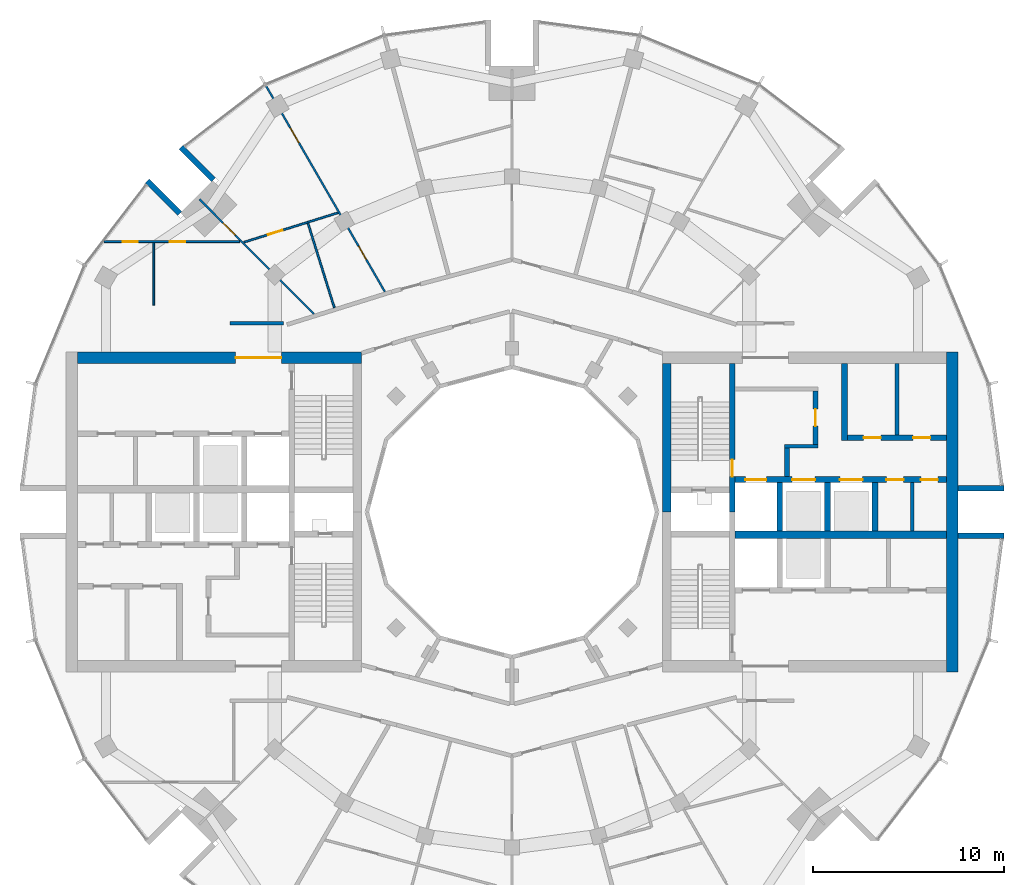
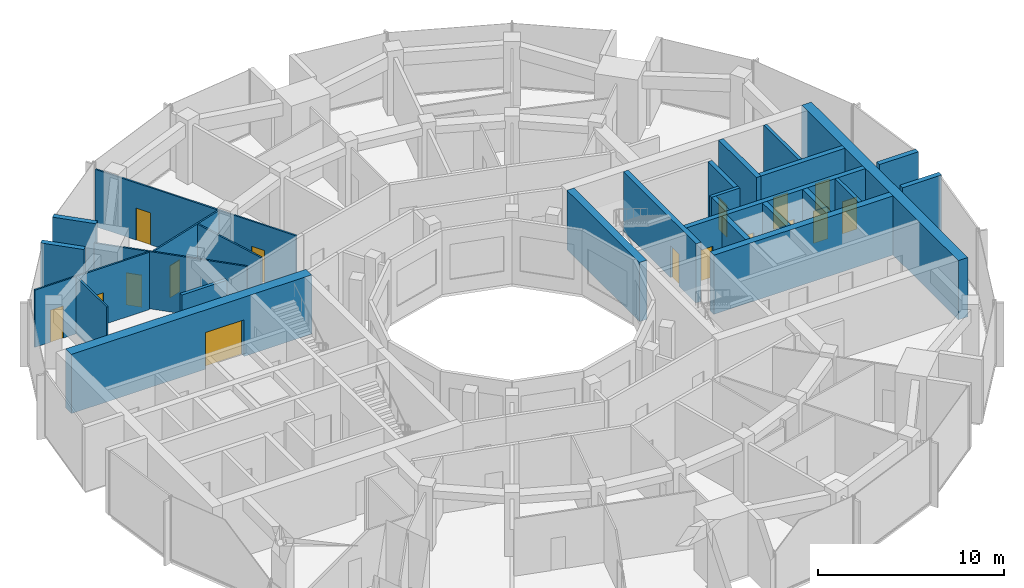
# One storey, part 11 of 15: 27 walls, 16 doors, 16 openings.
"""IFC4 building model written with IfcOpenShell, lengths in metres."""

from ifc_helpers import new_model, si_unit, direction, frame, frame_2d, origin, place, context, subcontext, project, spatial, rectangle, extrude, material, layer, layer_set, type_object, element, fill, save


model = new_model("IFC4")

# Units and contexts
model_context = context("Model", 3, precision=1e-05, world=origin(), true_north=direction((0.0, 1.0)))
body_context = subcontext(model_context, "Body", "Model", "MODEL_VIEW")
ifc_project = project(units=[si_unit("LENGTHUNIT", "METRE"), si_unit("AREAUNIT", "SQUARE_METRE"), si_unit("VOLUMEUNIT", "CUBIC_METRE"), si_unit("PLANEANGLEUNIT", "RADIAN"), si_unit("MASSUNIT", "GRAM", prefix="KILO")], contexts=[model_context])

# Site, building, storey
site_placement = place(None, origin())
site = spatial("IfcSite", under=ifc_project, at=site_placement, CompositionType="ELEMENT")
building_placement = place(site_placement, origin())
building = spatial("IfcBuilding", under=site, at=building_placement, Name="Torre Brocal", CompositionType="ELEMENT")
storey_placement = place(building_placement, frame((0.0, 0.0, 245.699951171875)))
storey = spatial("IfcBuildingStorey", under=building, at=storey_placement, Name="L56", CompositionType="ELEMENT", Elevation=245.699951171875)

# Walls
ifc_material_1 = material(Name="Masonry block", Category="masonry")
ifc_layer_1 = layer(ifc_material_1, 0.199951171875)
ifc_layer_set_1 = layer_set([ifc_layer_1], Name="Masonry block")
wall_type_1 = type_object("IfcWallType", Name="CORE PARTITION 200", PredefinedType="PARTITIONING", material=ifc_layer_set_1)
wall_1_placement = place(storey_placement, frame((101.0, 74.0, 0.0), z_axis=(0.0, 0.0, 1.0), x_axis=(0.0, 1.0, 0.0)))
element("IfcWall", 1, at=wall_1_placement, inside=storey, type_object=wall_type_1, Name="Wall CP200", PredefinedType="PARTITIONING", context=body_context, shape_type="SweptSolid", body=[
    extrude(rectangle(XDim=2.550048828125, YDim=0.199951171875, at=frame_2d((1.27490234375, 0.0))), origin(), (0.0, 0.0, 1.0), 3.880126953125),
])
wall_2_placement = place(storey_placement, frame((100.199951171875, 79.050048828125, 0.0), z_axis=(0.0, 0.0, 1.0), x_axis=(0.0, 1.0, 0.0)))
element("IfcWall", 2, at=wall_2_placement, inside=storey, type_object=wall_type_1, Name="Wall CP200", PredefinedType="PARTITIONING", context=body_context, shape_type="SweptSolid", body=[
    extrude(rectangle(XDim=3.75, YDim=0.199951171875, at=frame_2d((1.875, 0.0))), origin(), (0.0, 0.0, 1.0), 3.880126953125),
])
ifc_material_2 = material(Name="Concrete C60", Category="concrete")
ifc_layer_2 = layer(ifc_material_2, 0.199951171875)
ifc_layer_set_2 = layer_set([ifc_layer_2], Name="Concrete C60")
wall_type_2 = type_object("IfcWallType", Name="CORE WALL 200 C60", PredefinedType="SHEAR", material=ifc_layer_set_2)
wall_3_placement = place(storey_placement, frame((94.300048828125, 78.449951171875, 0.0), z_axis=(0.0, 0.0, 1.0), x_axis=(1.0, 0.0, 0.0)))
element("IfcWall", 3, at=wall_3_placement, inside=storey, type_object=wall_type_2, Name="Wall CW200-60", PredefinedType="SHEAR", context=body_context, shape_type="SweptSolid", body=[
    extrude(rectangle(XDim=1.75, YDim=0.199951171875, at=frame_2d((0.875, 0.0))), origin(), (0.0, 0.0, 1.0), 3.880126953125),
])

# Wall, opening, door
ifc_material_3 = material(Name="Concrete C60", Category="concrete")
ifc_layer_3 = layer(ifc_material_3, 0.25)
ifc_layer_set_3 = layer_set([ifc_layer_3], Name="Concrete C60")
wall_type_3 = type_object("IfcWallType", Name="CORE WALL 250 C60", PredefinedType="SHEAR", material=ifc_layer_set_3)
wall_4_placement = place(storey_placement, frame((95.925048828125, 78.550048828125, 0.0), z_axis=(0.0, 0.0, 1.0), x_axis=(0.0, 1.0, 0.0)))
wall_4 = element("IfcWall", 4, at=wall_4_placement, inside=storey, type_object=wall_type_3, Name="Wall CW250-60", PredefinedType="SHEAR", context=body_context, shape_type="SweptSolid", body=[
    extrude(rectangle(XDim=2.800048828125, YDim=0.25, at=frame_2d((1.39990234375, 0.0))), origin(), (0.0, 0.0, 1.0), 3.880126953125),
])
opening_1_placement = place(wall_4_placement, frame((0.949951171875, 0.0, 0.0)))
opening_1 = element("IfcOpeningElement", 5, at=opening_1_placement, cuts=wall_4, Name="Opening E-D08", PredefinedType="OPENING", context=body_context, shape_type="SweptSolid", body=[
    extrude(rectangle(XDim=0.89990234375, YDim=2.10009765625, at=frame_2d((0.449951171875, 1.050048828125))), frame((0.0, 0.135009765625, 0.0), z_axis=(0.0, -1.0, 0.0), x_axis=(1.0, 0.0, 0.0)), (0.0, 0.0, 1.0), 0.27001953125),
])
ifc_material_4 = material(Name="Steel A653", Category="steel")
door_type_1 = type_object("IfcDoorType", Name="LOBBY DOOR FD120 900X2100", OperationType="SINGLE_SWING_RIGHT", PredefinedType="DOOR", material=ifc_material_4)
door_1_placement = place(opening_1_placement, origin())
door_1 = element("IfcDoor", 6, at=door_1_placement, inside=storey, type_object=door_type_1, Name="Door E-D08", OperationType="SINGLE_SWING_LEFT", OverallHeight=2.10009765625, OverallWidth=0.89990234375, PredefinedType="DOOR", context=body_context, shape_type="SweptSolid", body=[
    extrude(rectangle(XDim=0.89990234375, YDim=2.10009765625, at=frame_2d((0.449951171875, 1.050048828125))), frame((0.0, 0.02490234375, 0.0), z_axis=(0.0, -1.0, 0.0), x_axis=(1.0, 0.0, 0.0)), (0.0, 0.0, 1.0), 0.050048828125),
])
fill(opening_1, door_1)

# Wall
wall_5_placement = place(storey_placement, frame((94.425048828125, 76.85009765625, 0.0), z_axis=(0.0, 0.0, 1.0), x_axis=(0.0, 1.0, 0.0)))
element("IfcWall", 7, at=wall_5_placement, inside=storey, type_object=wall_type_3, Name="Wall CW250-60", PredefinedType="SHEAR", context=body_context, shape_type="SweptSolid", body=[
    extrude(rectangle(XDim=1.5, YDim=0.25, at=frame_2d((0.75, 0.0))), origin(), (0.0, 0.0, 1.0), 3.880126953125),
])

# Wall, opening, door
ifc_material_5 = material(Name="Concrete C60", Category="concrete")
ifc_layer_4 = layer(ifc_material_5, 0.300048828125)
ifc_layer_set_4 = layer_set([ifc_layer_4], Name="Concrete C60")
wall_type_4 = type_object("IfcWallType", Name="CORE WALL 300 C60", PredefinedType="SHEAR", material=ifc_layer_set_4)
wall_6_placement = place(storey_placement, frame((91.550048828125, 75.0, 0.0), z_axis=(0.0, 0.0, 1.0), x_axis=(0.0, 1.0, 0.0)))
wall_6 = element("IfcWall", 8, at=wall_6_placement, inside=storey, type_object=wall_type_4, Name="Wall CW300-60", PredefinedType="SHEAR", context=body_context, shape_type="SweptSolid", body=[
    extrude(rectangle(XDim=7.800048828125, YDim=0.300048828125, at=frame_2d((3.89990234375, 0.0))), origin(), (0.0, 0.0, 1.0), 3.880126953125),
])
opening_2_placement = place(wall_6_placement, frame((1.85009765625, 0.0, 0.0)))
opening_2 = element("IfcOpeningElement", 9, at=opening_2_placement, cuts=wall_6, Name="Opening E-D02", PredefinedType="OPENING", context=body_context, shape_type="SweptSolid", body=[
    extrude(rectangle(XDim=0.89990234375, YDim=2.10009765625, at=frame_2d((0.449951171875, 1.050048828125))), frame((0.0, 0.159912109375, 0.0), z_axis=(0.0, -1.0, 0.0), x_axis=(1.0, 0.0, 0.0)), (0.0, 0.0, 1.0), 0.320068359375),
])
ifc_material_6 = material(Name="Steel A653", Category="steel")
door_type_2 = type_object("IfcDoorType", Name="STAIR DOOR FD120 900X2100", OperationType="SINGLE_SWING_RIGHT", PredefinedType="DOOR", material=ifc_material_6)
door_2_placement = place(opening_2_placement, origin())
door_2 = element("IfcDoor", 10, at=door_2_placement, inside=storey, type_object=door_type_2, Name="Door E-D02", OperationType="SINGLE_SWING_LEFT", OverallHeight=2.10009765625, OverallWidth=0.89990234375, PredefinedType="DOOR", context=body_context, shape_type="SweptSolid", body=[
    extrude(rectangle(XDim=0.89990234375, YDim=2.10009765625, at=frame_2d((0.449951171875, 1.050048828125))), frame((0.0, 0.02490234375, 0.0), z_axis=(0.0, -1.0, 0.0), x_axis=(1.0, 0.0, 0.0)), (0.0, 0.0, 1.0), 0.050048828125),
])
fill(opening_2, door_2)

# Wall, openings, doors
wall_7_placement = place(storey_placement, frame((91.699951171875, 76.699951171875, 0.0), z_axis=(0.0, 0.0, 1.0), x_axis=(1.0, 0.0, 0.0)))
wall_7 = element("IfcWall", 11, at=wall_7_placement, inside=storey, type_object=wall_type_4, Name="Wall CW300-60", PredefinedType="SHEAR", context=body_context, shape_type="SweptSolid", body=[
    extrude(rectangle(XDim=11.10009765625, YDim=0.300048828125, at=frame_2d((5.550048828125, 0.0))), origin(), (0.0, 0.0, 1.0), 3.880126953125),
])
opening_3_placement = place(wall_7_placement, frame((0.550048828125, 0.0, 0.0)))
opening_3 = element("IfcOpeningElement", 12, at=opening_3_placement, cuts=wall_7, Name="Opening LD", PredefinedType="OPENING", context=body_context, shape_type="SweptSolid", body=[
    extrude(rectangle(XDim=1.10009765625, YDim=2.10009765625, at=frame_2d((0.550048828125, 1.050048828125))), frame((0.0, 0.159912109375, 0.0), z_axis=(0.0, -1.0, 0.0), x_axis=(1.0, 0.0, 0.0)), (0.0, 0.0, 1.0), 0.320068359375),
])
opening_4_placement = place(wall_7_placement, frame((3.0, 0.0, 0.0)))
opening_4 = element("IfcOpeningElement", 13, at=opening_4_placement, cuts=wall_7, Name="Opening LD12", PredefinedType="OPENING", context=body_context, shape_type="SweptSolid", body=[
    extrude(rectangle(XDim=1.199951171875, YDim=2.10009765625, at=frame_2d((0.60009765625, 1.050048828125))), frame((0.0, 0.159912109375, 0.0), z_axis=(0.0, -1.0, 0.0), x_axis=(1.0, 0.0, 0.0)), (0.0, 0.0, 1.0), 0.320068359375),
])
opening_5_placement = place(wall_7_placement, frame((5.5, 0.0, 0.0)))
opening_5 = element("IfcOpeningElement", 14, at=opening_5_placement, cuts=wall_7, Name="Opening LD12", PredefinedType="OPENING", context=body_context, shape_type="SweptSolid", body=[
    extrude(rectangle(XDim=1.199951171875, YDim=2.10009765625, at=frame_2d((0.60009765625, 1.050048828125))), frame((0.0, 0.159912109375, 0.0), z_axis=(0.0, -1.0, 0.0), x_axis=(1.0, 0.0, 0.0)), (0.0, 0.0, 1.0), 0.320068359375),
])
opening_6_placement = place(wall_7_placement, frame((7.949951171875, 0.0, 0.0)))
opening_6 = element("IfcOpeningElement", 15, at=opening_6_placement, cuts=wall_7, Name="Opening E-D04", PredefinedType="OPENING", context=body_context, shape_type="SweptSolid", body=[
    extrude(rectangle(XDim=0.89990234375, YDim=2.10009765625, at=frame_2d((0.449951171875, 1.050048828125))), frame((0.0, 0.159912109375, 0.0), z_axis=(0.0, -1.0, 0.0), x_axis=(1.0, 0.0, 0.0)), (0.0, 0.0, 1.0), 0.320068359375),
])
opening_7_placement = place(wall_7_placement, frame((9.75, 0.0, 0.0)))
opening_7 = element("IfcOpeningElement", 16, at=opening_7_placement, cuts=wall_7, Name="Opening E-D05", PredefinedType="OPENING", context=body_context, shape_type="SweptSolid", body=[
    extrude(rectangle(XDim=0.89990234375, YDim=2.10009765625, at=frame_2d((0.449951171875, 1.050048828125))), frame((0.0, 0.159912109375, 0.0), z_axis=(0.0, -1.0, 0.0), x_axis=(1.0, 0.0, 0.0)), (0.0, 0.0, 1.0), 0.320068359375),
])
ifc_material_7 = material(Name="Stainless steel AISI 316", Category="steel")
door_type_3 = type_object("IfcDoorType", Name="LIFT LANDING DOOR 1100X2100", OperationType="DOUBLE_DOOR_SLIDING", PredefinedType="DOOR", material=ifc_material_7)
door_3_placement = place(opening_3_placement, origin())
door_3 = element("IfcDoor", 17, at=door_3_placement, inside=storey, type_object=door_type_3, Name="Door LD", OperationType="DOUBLE_DOOR_SLIDING", OverallHeight=2.10009765625, OverallWidth=1.10009765625, PredefinedType="DOOR", context=body_context, shape_type="SweptSolid", body=[
    extrude(rectangle(XDim=1.10009765625, YDim=2.10009765625, at=frame_2d((0.550048828125, 1.050048828125))), frame((0.0, 0.02490234375, 0.0), z_axis=(0.0, -1.0, 0.0), x_axis=(1.0, 0.0, 0.0)), (0.0, 0.0, 1.0), 0.050048828125),
])
fill(opening_3, door_3)
ifc_material_8 = material(Name="Stainless steel AISI 316", Category="steel")
door_type_4 = type_object("IfcDoorType", Name="LIFT LANDING DOOR 1200X2100", OperationType="DOUBLE_DOOR_SLIDING", PredefinedType="DOOR", material=ifc_material_8)
door_4_placement = place(opening_4_placement, origin())
door_4 = element("IfcDoor", 18, at=door_4_placement, inside=storey, type_object=door_type_4, Name="Door LD12", OperationType="DOUBLE_DOOR_SLIDING", OverallHeight=2.10009765625, OverallWidth=1.199951171875, PredefinedType="DOOR", context=body_context, shape_type="SweptSolid", body=[
    extrude(rectangle(XDim=1.199951171875, YDim=2.10009765625, at=frame_2d((0.60009765625, 1.050048828125))), frame((0.0, 0.02490234375, 0.0), z_axis=(0.0, -1.0, 0.0), x_axis=(1.0, 0.0, 0.0)), (0.0, 0.0, 1.0), 0.050048828125),
])
fill(opening_4, door_4)
door_5_placement = place(opening_5_placement, origin())
door_5 = element("IfcDoor", 19, at=door_5_placement, inside=storey, type_object=door_type_4, Name="Door LD12", OperationType="DOUBLE_DOOR_SLIDING", OverallHeight=2.10009765625, OverallWidth=1.199951171875, PredefinedType="DOOR", context=body_context, shape_type="SweptSolid", body=[
    extrude(rectangle(XDim=1.199951171875, YDim=2.10009765625, at=frame_2d((0.60009765625, 1.050048828125))), frame((0.0, 0.02490234375, 0.0), z_axis=(0.0, -1.0, 0.0), x_axis=(1.0, 0.0, 0.0)), (0.0, 0.0, 1.0), 0.050048828125),
])
fill(opening_5, door_5)
ifc_material_9 = material(Name="Steel A653", Category="steel")
door_type_5 = type_object("IfcDoorType", Name="ROOM DOOR FD30S 900X2100", OperationType="SINGLE_SWING_LEFT", PredefinedType="DOOR", material=ifc_material_9)
door_6_placement = place(opening_6_placement, frame((0.89990234375, 0.0, 0.0), z_axis=(0.0, 0.0, 1.0), x_axis=(-1.0, 0.0, 0.0)))
door_6 = element("IfcDoor", 20, at=door_6_placement, inside=storey, type_object=door_type_5, Name="Door E-D04", OperationType="SINGLE_SWING_LEFT", OverallHeight=2.10009765625, OverallWidth=0.89990234375, PredefinedType="DOOR", context=body_context, shape_type="SweptSolid", body=[
    extrude(rectangle(XDim=0.89990234375, YDim=2.10009765625, at=frame_2d((0.449951171875, 1.050048828125))), frame((0.0, 0.02490234375, 0.0), z_axis=(0.0, -1.0, 0.0), x_axis=(1.0, 0.0, 0.0)), (0.0, 0.0, 1.0), 0.050048828125),
])
fill(opening_6, door_6)
door_7_placement = place(opening_7_placement, frame((0.89990234375, 0.0, 0.0), z_axis=(0.0, 0.0, 1.0), x_axis=(-1.0, 0.0, 0.0)))
door_7 = element("IfcDoor", 21, at=door_7_placement, inside=storey, type_object=door_type_5, Name="Door E-D05", OperationType="SINGLE_SWING_RIGHT", OverallHeight=2.10009765625, OverallWidth=0.89990234375, PredefinedType="DOOR", context=body_context, shape_type="SweptSolid", body=[
    extrude(rectangle(XDim=0.89990234375, YDim=2.10009765625, at=frame_2d((0.449951171875, 1.050048828125))), frame((0.0, 0.02490234375, 0.0), z_axis=(0.0, -1.0, 0.0), x_axis=(1.0, 0.0, 0.0)), (0.0, 0.0, 1.0), 0.050048828125),
])
fill(opening_7, door_7)

# Walls
for number, where, z_axis, x_axis, name in (
    (22, (94.050048828125, 74.0, 0.0), (0.0, 0.0, 1.0), (0.0, 1.0, 0.0), "Wall CW300-60"),
    (23, (96.550048828125, 74.0, 0.0), (0.0, 0.0, 1.0), (0.0, 1.0, 0.0), "Wall CW300-60"),
    (24, (99.050048828125, 74.0, 0.0), (0.0, 0.0, 1.0), (0.0, 1.0, 0.0), "Wall CW300-60"),
):
    element("IfcWall", number, at=place(storey_placement, frame(where, z_axis=z_axis, x_axis=x_axis)), inside=storey, type_object=wall_type_4, Name=name, PredefinedType="SHEAR", context=body_context, shape_type="SweptSolid", body=[
        extrude(rectangle(XDim=2.550048828125, YDim=0.300048828125, at=frame_2d((1.27490234375, 0.0))), origin(), (0.0, 0.0, 1.0), 3.880126953125),
    ])
wall_8_placement = place(storey_placement, frame((97.449951171875, 78.75, 0.0), z_axis=(0.0, 0.0, 1.0), x_axis=(0.0, 1.0, 0.0)))
element("IfcWall", 25, at=wall_8_placement, inside=storey, type_object=wall_type_4, Name="Wall CW300-60", PredefinedType="SHEAR", context=body_context, shape_type="SweptSolid", body=[
    extrude(rectangle(XDim=4.050048828125, YDim=0.300048828125, at=frame_2d((2.02490234375, 0.0))), origin(), (0.0, 0.0, 1.0), 3.880126953125),
])

# Wall, openings, doors
wall_9_placement = place(storey_placement, frame((97.60009765625, 78.89990234375, 0.0), z_axis=(0.0, 0.0, 1.0), x_axis=(1.0, 0.0, 0.0)))
wall_9 = element("IfcWall", 26, at=wall_9_placement, inside=storey, type_object=wall_type_4, Name="Wall CW300-60", PredefinedType="SHEAR", context=body_context, shape_type="SweptSolid", body=[
    extrude(rectangle(XDim=5.199951171875, YDim=0.300048828125, at=frame_2d((2.60009765625, 0.0))), origin(), (0.0, 0.0, 1.0), 3.880126953125),
])
opening_8_placement = place(wall_9_placement, frame((0.85009765625, 0.0, 0.0)))
opening_8 = element("IfcOpeningElement", 27, at=opening_8_placement, cuts=wall_9, Name="Opening E-D09", PredefinedType="OPENING", context=body_context, shape_type="SweptSolid", body=[
    extrude(rectangle(XDim=0.89990234375, YDim=2.10009765625, at=frame_2d((0.449951171875, 1.050048828125))), frame((0.0, 0.159912109375, 0.0), z_axis=(0.0, -1.0, 0.0), x_axis=(1.0, 0.0, 0.0)), (0.0, 0.0, 1.0), 0.320068359375),
])
opening_9_placement = place(wall_9_placement, frame((3.449951171875, 0.0, 0.0)))
opening_9 = element("IfcOpeningElement", 28, at=opening_9_placement, cuts=wall_9, Name="Opening E-D10", PredefinedType="OPENING", context=body_context, shape_type="SweptSolid", body=[
    extrude(rectangle(XDim=0.89990234375, YDim=2.10009765625, at=frame_2d((0.449951171875, 1.050048828125))), frame((0.0, 0.159912109375, 0.0), z_axis=(0.0, -1.0, 0.0), x_axis=(1.0, 0.0, 0.0)), (0.0, 0.0, 1.0), 0.320068359375),
])
door_8_placement = place(opening_8_placement, origin())
door_8 = element("IfcDoor", 29, at=door_8_placement, inside=storey, type_object=door_type_5, Name="Door E-D09", OperationType="SINGLE_SWING_RIGHT", OverallHeight=2.10009765625, OverallWidth=0.89990234375, PredefinedType="DOOR", context=body_context, shape_type="SweptSolid", body=[
    extrude(rectangle(XDim=0.89990234375, YDim=2.10009765625, at=frame_2d((0.449951171875, 1.050048828125))), frame((0.0, 0.02490234375, 0.0), z_axis=(0.0, -1.0, 0.0), x_axis=(1.0, 0.0, 0.0)), (0.0, 0.0, 1.0), 0.050048828125),
])
fill(opening_8, door_8)
door_9_placement = place(opening_9_placement, origin())
door_9 = element("IfcDoor", 30, at=door_9_placement, inside=storey, type_object=door_type_5, Name="Door E-D10", OperationType="SINGLE_SWING_LEFT", OverallHeight=2.10009765625, OverallWidth=0.89990234375, PredefinedType="DOOR", context=body_context, shape_type="SweptSolid", body=[
    extrude(rectangle(XDim=0.89990234375, YDim=2.10009765625, at=frame_2d((0.449951171875, 1.050048828125))), frame((0.0, 0.02490234375, 0.0), z_axis=(0.0, -1.0, 0.0), x_axis=(1.0, 0.0, 0.0)), (0.0, 0.0, 1.0), 0.050048828125),
])
fill(opening_9, door_9)

# Walls
ifc_material_10 = material(Name="Concrete C60", Category="concrete")
ifc_layer_5 = layer(ifc_material_10, 0.39990234375)
ifc_layer_set_5 = layer_set([ifc_layer_5], Name="Concrete C60")
wall_type_5 = type_object("IfcWallType", Name="CORE WALL 400 C60", PredefinedType="SHEAR", material=ifc_layer_set_5)
wall_10_placement = place(storey_placement, frame((91.699951171875, 73.800048828125, 0.0), z_axis=(0.0, 0.0, 1.0), x_axis=(1.0, 0.0, 0.0)))
element("IfcWall", 31, at=wall_10_placement, inside=storey, type_object=wall_type_5, Name="Wall CW400-60", PredefinedType="SHEAR", context=body_context, shape_type="SweptSolid", body=[
    extrude(rectangle(XDim=11.10009765625, YDim=0.39990234375, at=frame_2d((5.550048828125, 0.0))), origin(), (0.0, 0.0, 1.0), 3.880126953125),
])
ifc_material_11 = material(Name="Concrete C60", Category="concrete")
ifc_layer_6 = layer(ifc_material_11, 0.449951171875)
ifc_layer_set_6 = layer_set([ifc_layer_6], Name="Concrete C60")
wall_type_6 = type_object("IfcWallType", Name="CORE WALL 450 C60", PredefinedType="SHEAR", material=ifc_layer_set_6)
wall_11_placement = place(storey_placement, frame((88.125, 75.0, 0.0), z_axis=(0.0, 0.0, 1.0), x_axis=(0.0, 1.0, 0.0)))
element("IfcWall", 32, at=wall_11_placement, inside=storey, type_object=wall_type_6, Name="Wall CW450-60", PredefinedType="SHEAR", context=body_context, shape_type="SweptSolid", body=[
    extrude(rectangle(XDim=7.800048828125, YDim=0.449951171875, at=frame_2d((3.89990234375, 0.0))), origin(), (0.0, 0.0, 1.0), 3.880126953125),
])
ifc_material_12 = material(Name="Concrete C60", Category="concrete")
ifc_layer_7 = layer(ifc_material_12, 0.60009765625)
ifc_layer_set_7 = layer_set([ifc_layer_7], Name="Concrete C60")
wall_type_7 = type_object("IfcWallType", Name="CORE WALL 600 C60", PredefinedType="SHEAR", material=ifc_layer_set_7)
wall_12_placement = place(storey_placement, frame((103.10009765625, 66.60009765625, 0.0), z_axis=(0.0, 0.0, 1.0), x_axis=(0.0, 1.0, 0.0)))
element("IfcWall", 33, at=wall_12_placement, inside=storey, type_object=wall_type_7, Name="Wall CW600-60", PredefinedType="SHEAR", context=body_context, shape_type="SweptSolid", body=[
    extrude(rectangle(XDim=16.7998046875, YDim=0.60009765625, at=frame_2d((8.39990234375, 0.0))), origin(), (0.0, 0.0, 1.0), 3.880126953125),
])

# Wall, opening, door
wall_13_placement = place(storey_placement, frame((72.10009765625, 83.10009765625, 0.0), z_axis=(0.0, 0.0, 1.0), x_axis=(-1.0, 0.0, 0.0)))
wall_13 = element("IfcWall", 34, at=wall_13_placement, inside=storey, type_object=wall_type_7, Name="Wall CW600-60", PredefinedType="SHEAR", context=body_context, shape_type="SweptSolid", body=[
    extrude(rectangle(XDim=14.900146484375, YDim=0.60009765625, at=frame_2d((7.4501953125, 0.0))), origin(), (0.0, 0.0, 1.0), 3.880126953125),
])
opening_10_placement = place(wall_13_placement, frame((4.199951171875, 0.0, 0.0)))
opening_10 = element("IfcOpeningElement", 35, at=opening_10_placement, cuts=wall_13, Name="Opening W-D12", PredefinedType="OPENING", context=body_context, shape_type="SweptSolid", body=[
    extrude(rectangle(XDim=2.39990234375, YDim=2.39990234375, at=frame_2d((1.199951171875, 1.199951171875))), frame((0.0, 0.31005859375, 0.0), z_axis=(0.0, -1.0, 0.0), x_axis=(1.0, 0.0, 0.0)), (0.0, 0.0, 1.0), 0.6201171875),
])
ifc_material_13 = material(Name="Steel A653", Category="steel")
door_type_6 = type_object("IfcDoorType", Name="DOUBLE FIRE DOOR FD90 2400X2400", OperationType="DOUBLE_DOOR_SINGLE_SWING", PredefinedType="DOOR", material=ifc_material_13)
door_10_placement = place(opening_10_placement, origin())
door_10 = element("IfcDoor", 36, at=door_10_placement, inside=storey, type_object=door_type_6, Name="Door W-D12", OperationType="DOUBLE_DOOR_SINGLE_SWING", OverallHeight=2.39990234375, OverallWidth=2.39990234375, PredefinedType="DOOR", context=body_context, shape_type="SweptSolid", body=[
    extrude(rectangle(XDim=2.39990234375, YDim=2.39990234375, at=frame_2d((1.199951171875, 1.199951171875))), frame((0.0, 0.02490234375, 0.0), z_axis=(0.0, -1.0, 0.0), x_axis=(1.0, 0.0, 0.0)), (0.0, 0.0, 1.0), 0.050048828125),
])
fill(opening_10, door_10)

# Walls
ifc_material_14 = material(Name="Concrete C60", Category="concrete")
ifc_layer_8 = layer(ifc_material_14, 0.300048828125)
ifc_layer_set_8 = layer_set([ifc_layer_8], Name="Concrete C60")
wall_type_8 = type_object("IfcWallType", Name="NOTCH RETURN WALL 300 C60", PredefinedType="NOTDEFINED", material=ifc_layer_set_8)
for number, where, z_axis, x_axis, name in (
    (37, (103.39990234375, 73.75, 0.0), (0.0, 0.0, 1.0), (1.0, 0.0, 0.0), "NOTCH RETURN WALL"),
    (38, (103.39990234375, 76.25, 0.0), (0.0, 0.0, 1.0), (1.0, 0.0, 0.0), "NOTCH RETURN WALL"),
    (39, (64.337646484375, 92.43017578125, 0.0), (0.0, 0.0, 1.0), (-0.707106781187, 0.707106781187, 0.0), "NOTCH RETURN WALL"),
    (40, (62.56982421875, 90.662353515625, 0.0), (0.0, 0.0, 1.0), (-0.707106781187, 0.707106781187, 0.0), "NOTCH RETURN WALL"),
):
    element("IfcWall", number, at=place(storey_placement, frame(where, z_axis=z_axis, x_axis=x_axis)), inside=storey, type_object=wall_type_8, Name=name, PredefinedType="NOTDEFINED", context=body_context, shape_type="SweptSolid", body=[
        extrude(rectangle(XDim=2.415771484375, YDim=0.300048828125, at=frame_2d((1.2080078125, 0.0))), origin(), (0.0, 0.0, 1.0), 4.199951171875),
    ])

# Wall, openings, doors
ifc_material_15 = material(Name="Gypsum board", Category="Gypsum")
ifc_layer_9 = layer(ifc_material_15, 0.10009765625)
ifc_layer_set_9 = layer_set([ifc_layer_9], Name="Gypsum board")
wall_type_9 = type_object("IfcWallType", Name="PARTITION 100", PredefinedType="PARTITIONING", material=ifc_layer_set_9)
wall_14_placement = place(storey_placement, frame((58.60009765625, 89.18798828125, 0.0), z_axis=(0.0, 0.0, 1.0), x_axis=(1.0, 0.0, 0.0)))
wall_14 = element("IfcWall", 41, at=wall_14_placement, inside=storey, type_object=wall_type_9, Name="BATHROOM WALL", PredefinedType="PARTITIONING", context=body_context, shape_type="SweptSolid", body=[
    extrude(rectangle(XDim=7.102783203125, YDim=0.10009765625, at=frame_2d((3.55126953125, 0.0))), origin(), (0.0, 0.0, 1.0), 3.75),
])
opening_11_placement = place(wall_14_placement, frame((3.446533203125, 0.0, 0.0)))
opening_11 = element("IfcOpeningElement", 42, at=opening_11_placement, cuts=wall_14, Name="Opening B03-D15", PredefinedType="OPENING", context=body_context, shape_type="SweptSolid", body=[
    extrude(rectangle(XDim=0.800048828125, YDim=2.10009765625, at=frame_2d((0.39990234375, 1.050048828125))), frame((0.0, 0.06005859375, 0.0), z_axis=(0.0, -1.0, 0.0), x_axis=(1.0, 0.0, 0.0)), (0.0, 0.0, 1.0), 0.1201171875),
])
opening_12_placement = place(wall_14_placement, frame((0.965087890625, 0.0, 0.0)))
opening_12 = element("IfcOpeningElement", 43, at=opening_12_placement, cuts=wall_14, Name="Opening B03-D16", PredefinedType="OPENING", context=body_context, shape_type="SweptSolid", body=[
    extrude(rectangle(XDim=0.800048828125, YDim=2.10009765625, at=frame_2d((0.39990234375, 1.050048828125))), frame((0.0, 0.06005859375, 0.0), z_axis=(0.0, -1.0, 0.0), x_axis=(1.0, 0.0, 0.0)), (0.0, 0.0, 1.0), 0.1201171875),
])
ifc_material_16 = material(Name="Timber", Category="wood")
door_type_7 = type_object("IfcDoorType", Name="BATHROOM DOOR 800X2100", OperationType="SINGLE_SWING_LEFT", PredefinedType="DOOR", material=ifc_material_16)
door_11_placement = place(opening_11_placement, frame((0.800048828125, 0.0, 0.0), z_axis=(0.0, 0.0, 1.0), x_axis=(-1.0, 0.0, 0.0)))
door_11 = element("IfcDoor", 44, at=door_11_placement, inside=storey, type_object=door_type_7, Name="B03-D15", OperationType="SINGLE_SWING_RIGHT", OverallHeight=2.10009765625, OverallWidth=0.800048828125, PredefinedType="DOOR", context=body_context, shape_type="SweptSolid", body=[
    extrude(rectangle(XDim=0.800048828125, YDim=2.10009765625, at=frame_2d((0.39990234375, 1.050048828125))), frame((0.0, 0.02490234375, 0.0), z_axis=(0.0, -1.0, 0.0), x_axis=(1.0, 0.0, 0.0)), (0.0, 0.0, 1.0), 0.050048828125),
])
fill(opening_11, door_11)
door_12_placement = place(opening_12_placement, origin())
door_12 = element("IfcDoor", 45, at=door_12_placement, inside=storey, type_object=door_type_7, Name="B03-D16", OperationType="SINGLE_SWING_LEFT", OverallHeight=2.10009765625, OverallWidth=0.800048828125, PredefinedType="DOOR", context=body_context, shape_type="SweptSolid", body=[
    extrude(rectangle(XDim=0.800048828125, YDim=2.10009765625, at=frame_2d((0.39990234375, 1.050048828125))), frame((0.0, 0.02490234375, 0.0), z_axis=(0.0, -1.0, 0.0), x_axis=(1.0, 0.0, 0.0)), (0.0, 0.0, 1.0), 0.050048828125),
])
fill(opening_12, door_12)

# Wall
wall_15_placement = place(storey_placement, frame((61.199951171875, 85.85498046875, 0.0), z_axis=(0.0, 0.0, 1.0), x_axis=(0.0, 1.0, 0.0)))
element("IfcWall", 46, at=wall_15_placement, inside=storey, type_object=wall_type_9, Name="BATHROOM WALL", PredefinedType="PARTITIONING", context=body_context, shape_type="SweptSolid", body=[
    extrude(rectangle(XDim=3.282958984375, YDim=0.10009765625, at=frame_2d((1.6416015625, 0.0))), origin(), (0.0, 0.0, 1.0), 3.75),
])

# Wall, opening, door
wall_16_placement = place(storey_placement, frame((63.599365234375, 91.408935546875, 0.0), z_axis=(0.0, 0.0, 1.0), x_axis=(0.706948776529, -0.707264750546, 0.0)))
wall_16 = element("IfcWall", 47, at=wall_16_placement, inside=storey, type_object=wall_type_9, Name="BATHROOM WALL", PredefinedType="PARTITIONING", context=body_context, shape_type="SweptSolid", body=[
    extrude(rectangle(XDim=8.499267578125, YDim=0.10009765625, at=frame_2d((4.24951171875, 0.0))), origin(), (0.0, 0.0, 1.0), 3.75),
])
opening_13_placement = place(wall_16_placement, frame((1.752685546875, 0.0, 0.0)))
opening_13 = element("IfcOpeningElement", 48, at=opening_13_placement, cuts=wall_16, Name="Opening B03-D14", PredefinedType="OPENING", context=body_context, shape_type="SweptSolid", body=[
    extrude(rectangle(XDim=0.89990234375, YDim=2.10009765625, at=frame_2d((0.449951171875, 1.050048828125))), frame((0.0, 0.06005859375, 0.0), z_axis=(0.0, -1.0, 0.0), x_axis=(1.0, 0.0, 0.0)), (0.0, 0.0, 1.0), 0.1201171875),
])
ifc_material_17 = material(Name="Timber", Category="wood")
door_type_8 = type_object("IfcDoorType", Name="ROOM DOOR 900X2100", OperationType="SINGLE_SWING_LEFT", PredefinedType="DOOR", material=ifc_material_17)
door_13_placement = place(opening_13_placement, frame((0.89990234375, 0.0, 0.0), z_axis=(0.0, 0.0, 1.0), x_axis=(-1.0, 0.0, 0.0)))
door_13 = element("IfcDoor", 49, at=door_13_placement, inside=storey, type_object=door_type_8, Name="B03-D14", OperationType="SINGLE_SWING_RIGHT", OverallHeight=2.10009765625, OverallWidth=0.89990234375, PredefinedType="DOOR", context=body_context, shape_type="SweptSolid", body=[
    extrude(rectangle(XDim=0.89990234375, YDim=2.10009765625, at=frame_2d((0.449951171875, 1.050048828125))), frame((0.0, 0.02490234375, 0.0), z_axis=(0.0, -1.0, 0.0), x_axis=(1.0, 0.0, 0.0)), (0.0, 0.0, 1.0), 0.050048828125),
])
fill(opening_13, door_13)

wall_17_placement = place(storey_placement, frame((65.9443359375, 89.156982421875, 0.0), z_axis=(0.0, 0.0, 1.0), x_axis=(0.954248987961, 0.299013158531, 0.0)))
wall_17 = element("IfcWall", 50, at=wall_17_placement, inside=storey, type_object=wall_type_9, Name="BATHROOM WALL", PredefinedType="PARTITIONING", context=body_context, shape_type="SweptSolid", body=[
    extrude(rectangle(XDim=5.159423828125, YDim=0.10009765625, at=frame_2d((2.57958984375, 0.0))), origin(), (0.0, 0.0, 1.0), 3.75),
])
opening_14_placement = place(wall_17_placement, frame((1.315673828125, 0.0, 0.0)))
opening_14 = element("IfcOpeningElement", 51, at=opening_14_placement, cuts=wall_17, Name="Opening B03-D12", PredefinedType="OPENING", context=body_context, shape_type="SweptSolid", body=[
    extrude(rectangle(XDim=0.800048828125, YDim=2.10009765625, at=frame_2d((0.39990234375, 1.050048828125))), frame((0.0, 0.06005859375, 0.0), z_axis=(0.0, -1.0, 0.0), x_axis=(1.0, 0.0, 0.0)), (0.0, 0.0, 1.0), 0.1201171875),
])
door_14_placement = place(opening_14_placement, frame((0.800048828125, 0.0, 0.0), z_axis=(0.0, 0.0, 1.0), x_axis=(-1.0, 0.0, 0.0)))
door_14 = element("IfcDoor", 52, at=door_14_placement, inside=storey, type_object=door_type_7, Name="B03-D12", OperationType="SINGLE_SWING_RIGHT", OverallHeight=2.10009765625, OverallWidth=0.800048828125, PredefinedType="DOOR", context=body_context, shape_type="SweptSolid", body=[
    extrude(rectangle(XDim=0.800048828125, YDim=2.10009765625, at=frame_2d((0.39990234375, 1.050048828125))), frame((0.0, 0.02490234375, 0.0), z_axis=(0.0, -1.0, 0.0), x_axis=(1.0, 0.0, 0.0)), (0.0, 0.0, 1.0), 0.050048828125),
])
fill(opening_14, door_14)

# Wall, openings, doors
wall_18_placement = place(storey_placement, frame((67.103515625, 97.3427734375, 0.0), z_axis=(0.0, 0.0, 1.0), x_axis=(0.499891560959, -0.866088002043, 0.0)))
wall_18 = element("IfcWall", 53, at=wall_18_placement, inside=storey, type_object=wall_type_9, Name="BATHROOM WALL", PredefinedType="PARTITIONING", context=body_context, shape_type="SweptSolid", body=[
    extrude(rectangle(XDim=12.455810546875, YDim=0.10009765625, at=frame_2d((6.22802734375, 0.0))), origin(), (0.0, 0.0, 1.0), 3.75),
])
opening_15_placement = place(wall_18_placement, frame((2.5380859375, 0.0, 0.0)))
opening_15 = element("IfcOpeningElement", 54, at=opening_15_placement, cuts=wall_18, Name="Opening B03-D11", PredefinedType="OPENING", context=body_context, shape_type="SweptSolid", body=[
    extrude(rectangle(XDim=0.89990234375, YDim=2.10009765625, at=frame_2d((0.449951171875, 1.050048828125))), frame((0.0, 0.06005859375, 0.0), z_axis=(0.0, -1.0, 0.0), x_axis=(1.0, 0.0, 0.0)), (0.0, 0.0, 1.0), 0.1201171875),
])
opening_16_placement = place(wall_18_placement, frame((9.696533203125, 0.0, 0.0)))
opening_16 = element("IfcOpeningElement", 55, at=opening_16_placement, cuts=wall_18, Name="Opening B03-D13", PredefinedType="OPENING", context=body_context, shape_type="SweptSolid", body=[
    extrude(rectangle(XDim=0.800048828125, YDim=2.10009765625, at=frame_2d((0.39990234375, 1.050048828125))), frame((0.0, 0.06005859375, 0.0), z_axis=(0.0, -1.0, 0.0), x_axis=(1.0, 0.0, 0.0)), (0.0, 0.0, 1.0), 0.1201171875),
])
door_15_placement = place(opening_16_placement, frame((0.800048828125, 0.0, 0.0), z_axis=(0.0, 0.0, 1.0), x_axis=(-1.0, 0.0, 0.0)))
door_15 = element("IfcDoor", 56, at=door_15_placement, inside=storey, type_object=door_type_7, Name="B03-D13", OperationType="SINGLE_SWING_LEFT", OverallHeight=2.10009765625, OverallWidth=0.800048828125, PredefinedType="DOOR", context=body_context, shape_type="SweptSolid", body=[
    extrude(rectangle(XDim=0.800048828125, YDim=2.10009765625, at=frame_2d((0.39990234375, 1.050048828125))), frame((0.0, 0.02490234375, 0.0), z_axis=(0.0, -1.0, 0.0), x_axis=(1.0, 0.0, 0.0)), (0.0, 0.0, 1.0), 0.050048828125),
])
fill(opening_16, door_15)
door_16_placement = place(opening_15_placement, frame((0.89990234375, 0.0, 0.0), z_axis=(0.0, 0.0, 1.0), x_axis=(-1.0, 0.0, 0.0)))
door_16 = element("IfcDoor", 57, at=door_16_placement, inside=storey, type_object=door_type_8, Name="B03-D11", OperationType="SINGLE_SWING_RIGHT", OverallHeight=2.10009765625, OverallWidth=0.89990234375, PredefinedType="DOOR", context=body_context, shape_type="SweptSolid", body=[
    extrude(rectangle(XDim=0.89990234375, YDim=2.10009765625, at=frame_2d((0.449951171875, 1.050048828125))), frame((0.0, 0.02490234375, 0.0), z_axis=(0.0, -1.0, 0.0), x_axis=(1.0, 0.0, 0.0)), (0.0, 0.0, 1.0), 0.050048828125),
])
fill(opening_15, door_16)

# Walls
wall_19_placement = place(storey_placement, frame((69.291015625, 90.1533203125, 0.0), z_axis=(0.0, 0.0, 1.0), x_axis=(0.299165743488, -0.954201162189, 0.0)))
element("IfcWall", 58, at=wall_19_placement, inside=storey, type_object=wall_type_9, Name="BATHROOM WALL", PredefinedType="PARTITIONING", context=body_context, shape_type="SweptSolid", body=[
    extrude(rectangle(XDim=4.64990234375, YDim=0.10009765625, at=frame_2d((2.324951171875, 0.0))), origin(), (0.0, 0.0, 1.0), 3.75),
])
ifc_material_18 = material(Name="Gypsum board", Category="Gypsum")
ifc_layer_10 = layer(ifc_material_18, 0.199951171875)
ifc_layer_set_10 = layer_set([ifc_layer_10], Name="Gypsum board")
wall_type_10 = type_object("IfcWallType", Name="PARTITION 200 EI60", PredefinedType="PARTITIONING", material=ifc_layer_set_10)
wall_20_placement = place(storey_placement, frame((65.199951171875, 84.89990234375, 0.0), z_axis=(0.0, 0.0, 1.0), x_axis=(1.0, 0.0, 0.0)))
element("IfcWall", 59, at=wall_20_placement, inside=storey, type_object=wall_type_10, Name="GUESTROOM CORRIDOR WALL", PredefinedType="PARTITIONING", context=body_context, shape_type="SweptSolid", body=[
    extrude(rectangle(XDim=2.800048828125, YDim=0.199951171875, at=frame_2d((1.39990234375, 0.0))), origin(), (0.0, 0.0, 1.0), 3.75),
])

save(model, "model.ifc")
